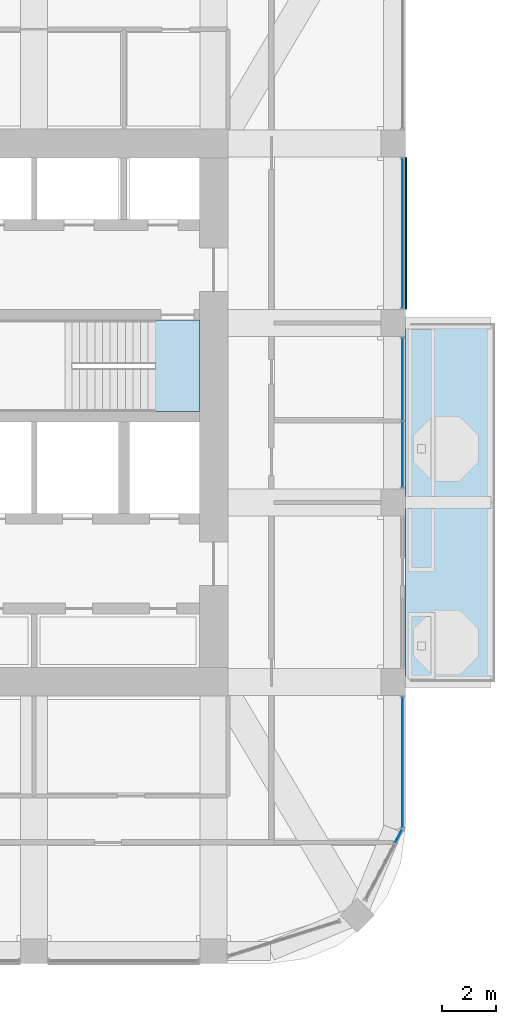
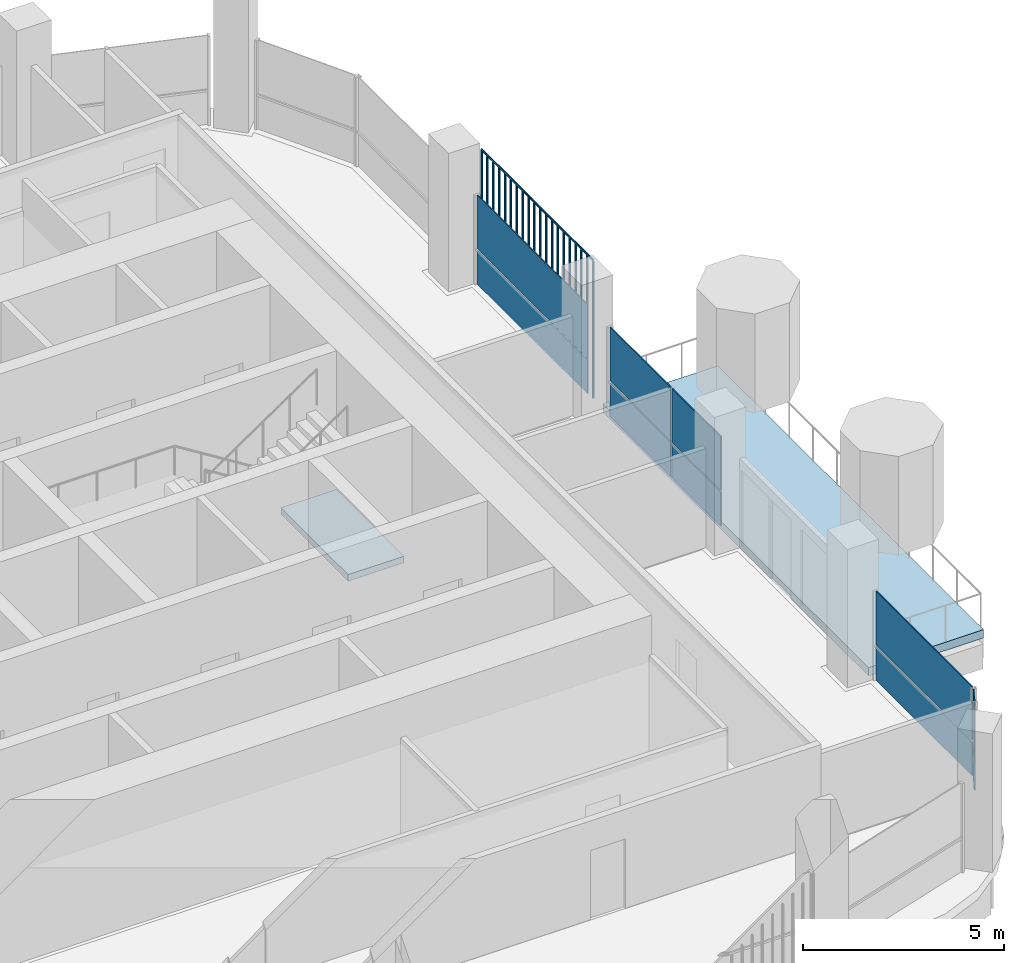
# One storey, part 10 of 19: 11 plates, 2 slabs, 5 elements without a shape of their own.
"""IFC4 building model written with IfcOpenShell, lengths in metres."""

from ifc_helpers import new_model, si_unit, direction, frame, origin, origin_2d, place, context, subcontext, project, spatial, polyline, rectangle, outline, extrude, material, layer, layer_set, type_object, element, aggregate, save


model = new_model("IFC4")

# Units and contexts
model_context = context("Model", 3, precision=1e-05, world=origin(), true_north=direction((0.0, 1.0)))
body_context = subcontext(model_context, "Body", "Model", "MODEL_VIEW")
ifc_project = project(units=[si_unit("LENGTHUNIT", "METRE"), si_unit("AREAUNIT", "SQUARE_METRE"), si_unit("VOLUMEUNIT", "CUBIC_METRE"), si_unit("PLANEANGLEUNIT", "RADIAN"), si_unit("MASSUNIT", "GRAM", prefix="KILO")], contexts=[model_context])

# Site, building, storey
site_placement = place(None, origin())
site = spatial("IfcSite", under=ifc_project, at=site_placement, CompositionType="ELEMENT")
building_placement = place(site_placement, origin())
building = spatial("IfcBuilding", under=site, at=building_placement, Name="Cobogo Forest Laboratory Tower", CompositionType="ELEMENT")
storey_placement = place(building_placement, frame((0.0, 0.0, 262.800048828125)))
storey = spatial("IfcBuildingStorey", under=building, at=storey_placement, Name="L60", CompositionType="ELEMENT", Elevation=262.800048828125)

# Slab
ifc_material_1 = material(Name="Concrete HA-40 (C40/50)", Category="concrete")
ifc_layer_1 = layer(ifc_material_1, 0.25)
ifc_layer_set_1 = layer_set([ifc_layer_1], Name="Balcony slab 250")
slab_type_1 = type_object("IfcSlabType", Name="Balcony slab 250", PredefinedType="FLOOR", material=ifc_layer_set_1)
slab_1_placement = place(storey_placement, frame((0.0, 0.0, -0.25)))
element("IfcSlab", 1, at=slab_1_placement, inside=storey, type_object=slab_type_1, Name="Balcony BAL-E1 L60", PredefinedType="FLOOR", context=body_context, shape_type="SweptSolid", body=[
    extrude(outline(polyline([(46.64990234375, 13.199951171875), (49.949951171875, 13.199951171875), (49.949951171875, 26.39990234375), (46.64990234375, 26.39990234375), (46.64990234375, 13.199951171875)])), origin(), (0.0, 0.0, 1.0), 0.25),
])

# Curtain wall, plates
ifc_material_2 = material(Name="Aluminium curtain wall", Category="aluminium")
curtain_wall_type = type_object("IfcCurtainWallType", Name="CW-2 unitised curtain wall, solar control glazing, laboratory floors zones C and D", PredefinedType="USERDEFINED", material=ifc_material_2)
curtain_wall_1_placement = place(storey_placement, origin())
curtain_wall_1 = element("IfcCurtainWall", 2, at=curtain_wall_1_placement, inside=storey, type_object=curtain_wall_type, Name="Curtain wall 06 L60", ObjectType="UNITISED CURTAIN WALL", PredefinedType="USERDEFINED")
ifc_material_3 = material(Name="Solar control insulated glass", Category="glass")
ifc_layer_2 = layer(ifc_material_3, 0.031982421875)
ifc_layer_set_2 = layer_set([ifc_layer_2], Name="GP-2 solar control glass unit 32")
plate_type_1 = type_object("IfcPlateType", Name="GP-2 solar control glass unit 32", PredefinedType="CURTAIN_PANEL", material=ifc_layer_set_2)
plate_1_placement = place(storey_placement, frame((46.40234375, 7.51806640625, 0.0), z_axis=(0.0, 0.0, 1.0), x_axis=(0.464283778337, 0.885686498245, 0.0)))
plate_1 = element("IfcPlate", 3, at=plate_1_placement, type_object=plate_type_1, Name="CW-2 panel 2.1", PredefinedType="CURTAIN_PANEL", context=body_context, shape_type="SweptSolid", body=[
    extrude(rectangle(XDim=0.516357421875, YDim=0.031982421875, at=origin_2d()), origin(), (0.0, 0.0, 1.0), 1.02001953125),
])
plate_2_placement = place(storey_placement, frame((46.40234375, 7.51806640625, 1.079833984375), z_axis=(0.0, 0.0, 1.0), x_axis=(0.464283778337, 0.885686498245, 0.0)))
plate_2 = element("IfcPlate", 4, at=plate_2_placement, type_object=plate_type_1, Name="CW-2 panel 2.2", PredefinedType="CURTAIN_PANEL", context=body_context, shape_type="SweptSolid", body=[
    extrude(rectangle(XDim=0.516357421875, YDim=0.031982421875, at=origin_2d()), origin(), (0.0, 0.0, 1.0), 1.6201171875),
])
aggregate(curtain_wall_1, [plate_1, plate_2])

curtain_wall_2_placement = place(storey_placement, origin())
curtain_wall_2 = element("IfcCurtainWall", 5, at=curtain_wall_2_placement, inside=storey, type_object=curtain_wall_type, Name="Curtain wall 07 L60", ObjectType="UNITISED CURTAIN WALL", PredefinedType="USERDEFINED")
plate_3_placement = place(storey_placement, frame((46.550048828125, 10.25, 0.0), z_axis=(0.0, 0.0, 1.0), x_axis=(0.0, 1.0, 0.0)))
plate_3 = element("IfcPlate", 6, at=plate_3_placement, type_object=plate_type_1, Name="CW-2 panel 1.1", PredefinedType="CURTAIN_PANEL", context=body_context, shape_type="SweptSolid", body=[
    extrude(rectangle(XDim=4.780029296875, YDim=0.031982421875, at=origin_2d()), origin(), (0.0, 0.0, 1.0), 1.02001953125),
])
plate_4_placement = place(storey_placement, frame((46.550048828125, 10.25, 1.079833984375), z_axis=(0.0, 0.0, 1.0), x_axis=(0.0, 1.0, 0.0)))
plate_4 = element("IfcPlate", 7, at=plate_4_placement, type_object=plate_type_1, Name="CW-2 panel 1.2", PredefinedType="CURTAIN_PANEL", context=body_context, shape_type="SweptSolid", body=[
    extrude(rectangle(XDim=4.780029296875, YDim=0.031982421875, at=origin_2d()), origin(), (0.0, 0.0, 1.0), 1.6201171875),
])
aggregate(curtain_wall_2, [plate_3, plate_4])

curtain_wall_3_placement = place(storey_placement, origin())
curtain_wall_3 = element("IfcCurtainWall", 8, at=curtain_wall_3_placement, inside=storey, type_object=curtain_wall_type, Name="Curtain wall 09 L60", ObjectType="UNITISED CURTAIN WALL", PredefinedType="USERDEFINED")
plate_5_placement = place(storey_placement, frame((46.550048828125, 21.56494140625, 0.0), z_axis=(0.0, 0.0, 1.0), x_axis=(0.0, 1.0, 0.0)))
plate_5 = element("IfcPlate", 9, at=plate_5_placement, type_object=plate_type_1, Name="CW-2 panel 1.1", PredefinedType="CURTAIN_PANEL", context=body_context, shape_type="SweptSolid", body=[
    extrude(rectangle(XDim=2.409912109375, YDim=0.031982421875, at=origin_2d()), origin(), (0.0, 0.0, 1.0), 1.02001953125),
])
plate_6_placement = place(storey_placement, frame((46.550048828125, 21.56494140625, 1.079833984375), z_axis=(0.0, 0.0, 1.0), x_axis=(0.0, 1.0, 0.0)))
plate_6 = element("IfcPlate", 10, at=plate_6_placement, type_object=plate_type_1, Name="CW-2 panel 1.2", PredefinedType="CURTAIN_PANEL", context=body_context, shape_type="SweptSolid", body=[
    extrude(rectangle(XDim=2.409912109375, YDim=0.031982421875, at=origin_2d()), origin(), (0.0, 0.0, 1.0), 1.6201171875),
])
plate_7_placement = place(storey_placement, frame((46.550048828125, 24.3349609375, 0.0), z_axis=(0.0, 0.0, 1.0), x_axis=(0.0, 1.0, 0.0)))
plate_7 = element("IfcPlate", 11, at=plate_7_placement, type_object=plate_type_1, Name="CW-2 panel 2.1", PredefinedType="CURTAIN_PANEL", context=body_context, shape_type="SweptSolid", body=[
    extrude(rectangle(XDim=3.010009765625, YDim=0.031982421875, at=origin_2d()), origin(), (0.0, 0.0, 1.0), 1.02001953125),
])
plate_8_placement = place(storey_placement, frame((46.550048828125, 24.3349609375, 1.079833984375), z_axis=(0.0, 0.0, 1.0), x_axis=(0.0, 1.0, 0.0)))
plate_8 = element("IfcPlate", 12, at=plate_8_placement, type_object=plate_type_1, Name="CW-2 panel 2.2", PredefinedType="CURTAIN_PANEL", context=body_context, shape_type="SweptSolid", body=[
    extrude(rectangle(XDim=3.010009765625, YDim=0.031982421875, at=origin_2d()), origin(), (0.0, 0.0, 1.0), 1.6201171875),
])
aggregate(curtain_wall_3, [plate_5, plate_6, plate_7, plate_8])

curtain_wall_4_placement = place(storey_placement, origin())
curtain_wall_4 = element("IfcCurtainWall", 13, at=curtain_wall_4_placement, inside=storey, type_object=curtain_wall_type, Name="Curtain wall 10 L60", ObjectType="UNITISED CURTAIN WALL", PredefinedType="USERDEFINED")
plate_9_placement = place(storey_placement, frame((46.550048828125, 29.699951171875, 0.0), z_axis=(0.0, 0.0, 1.0), x_axis=(0.0, 1.0, 0.0)))
plate_9 = element("IfcPlate", 14, at=plate_9_placement, type_object=plate_type_1, Name="CW-2 panel 1.1", PredefinedType="CURTAIN_PANEL", context=body_context, shape_type="SweptSolid", body=[
    extrude(rectangle(XDim=5.47998046875, YDim=0.031982421875, at=origin_2d()), origin(), (0.0, 0.0, 1.0), 1.02001953125),
])
plate_10_placement = place(storey_placement, frame((46.550048828125, 29.699951171875, 1.079833984375), z_axis=(0.0, 0.0, 1.0), x_axis=(0.0, 1.0, 0.0)))
plate_10 = element("IfcPlate", 15, at=plate_10_placement, type_object=plate_type_1, Name="CW-2 panel 1.2", PredefinedType="CURTAIN_PANEL", context=body_context, shape_type="SweptSolid", body=[
    extrude(rectangle(XDim=5.47998046875, YDim=0.031982421875, at=origin_2d()), origin(), (0.0, 0.0, 1.0), 1.6201171875),
])
aggregate(curtain_wall_4, [plate_9, plate_10])

# Stair, slab
ifc_material_4 = material(Name="Precast concrete HA-40 (C40/50)", Category="concrete")
stair_type = type_object("IfcStairType", Name="ST24 exit stair 24 risers", PredefinedType="HALF_TURN_STAIR", material=ifc_material_4)
stair_placement = place(storey_placement, origin())
stair = element("IfcStair", 16, at=stair_placement, inside=storey, type_object=stair_type, Name="Stair 2 L60 to L61", PredefinedType="HALF_TURN_STAIR")
ifc_layer_3 = layer(ifc_material_1, 0.199951171875)
ifc_layer_set_3 = layer_set([ifc_layer_3], Name="SL stair landing 200")
slab_type_2 = type_object("IfcSlabType", Name="SL stair landing 200", PredefinedType="LANDING", material=ifc_layer_set_3)
slab_2_placement = place(storey_placement, frame((0.0, 0.0, -0.199951171875)))
slab_2 = element("IfcSlab", 17, at=slab_2_placement, type_object=slab_type_2, Name="ST2 landing 1", PredefinedType="LANDING", context=body_context, shape_type="SweptSolid", body=[
    extrude(outline(polyline([(37.472900390625, 23.14990234375), (39.074951171875, 23.14990234375), (39.074951171875, 26.5), (37.472900390625, 26.5), (37.472900390625, 23.14990234375)])), origin(), (0.0, 0.0, 1.0), 0.199951171875),
])
aggregate(stair, [slab_2])

# Plate
ifc_material_5 = material(Name="Terracotta", Category="masonry")
plate_type_2 = type_object("IfcPlateType", Name="TB1 terracotta baguette screen", PredefinedType="USERDEFINED", material=ifc_material_5)
plate_11_placement = place(storey_placement, frame((46.677978515625, 26.93115234375, -0.150146484375)))
element("IfcPlate", 18, at=plate_11_placement, inside=storey, type_object=plate_type_2, Name="Baguette screen E3 L60", ObjectType="BAGUETTE SCREEN", PredefinedType="USERDEFINED", context=body_context, shape_type="SweptSolid", body=[
    extrude(outline(polyline([(0.02880859375, 0.011962890625), (0.011962890625, 0.02880859375), (-0.011962890625, 0.02880859375), (-0.02880859375, 0.011962890625), (-0.02880859375, -0.011962890625), (-0.011962890625, -0.02880859375), (0.011962890625, -0.02880859375), (0.02880859375, -0.011962890625), (0.02880859375, 0.011962890625)])), frame((0.0, 0.0, 4.168701171875), z_axis=(0.0, 1.0, 0.0), x_axis=(-1.0, 0.0, 0.0)), (0.0, 0.0, 1.0), 5.53759765625),
    extrude(outline(polyline([(0.02880859375, 0.011962890625), (0.011962890625, 0.02880859375), (-0.011962890625, 0.02880859375), (-0.02880859375, 0.011962890625), (-0.02880859375, -0.011962890625), (-0.011962890625, -0.02880859375), (0.011962890625, -0.02880859375), (0.02880859375, -0.011962890625), (0.02880859375, 0.011962890625)])), origin(), (0.0, 0.0, 1.0), 4.137451171875),
    extrude(outline(polyline([(0.02880859375, 0.011962890625), (0.011962890625, 0.02880859375), (-0.011962890625, 0.02880859375), (-0.02880859375, 0.011962890625), (-0.02880859375, -0.011962890625), (-0.011962890625, -0.02880859375), (0.011962890625, -0.02880859375), (0.02880859375, -0.011962890625), (0.02880859375, 0.011962890625)])), frame((0.0, 0.29150390625, 0.0)), (0.0, 0.0, 1.0), 4.137451171875),
    extrude(outline(polyline([(0.02880859375, 0.011962890625), (0.011962890625, 0.02880859375), (-0.011962890625, 0.02880859375), (-0.02880859375, 0.011962890625), (-0.02880859375, -0.011962890625), (-0.011962890625, -0.02880859375), (0.011962890625, -0.02880859375), (0.02880859375, -0.011962890625), (0.02880859375, 0.011962890625)])), frame((0.0, 0.5830078125, 0.0)), (0.0, 0.0, 1.0), 4.137451171875),
    extrude(outline(polyline([(0.02880859375, 0.011962890625), (0.011962890625, 0.02880859375), (-0.011962890625, 0.02880859375), (-0.02880859375, 0.011962890625), (-0.02880859375, -0.011962890625), (-0.011962890625, -0.02880859375), (0.011962890625, -0.02880859375), (0.02880859375, -0.011962890625), (0.02880859375, 0.011962890625)])), frame((0.0, 0.874267578125, 0.0)), (0.0, 0.0, 1.0), 4.137451171875),
    extrude(outline(polyline([(0.02880859375, 0.011962890625), (0.011962890625, 0.02880859375), (-0.011962890625, 0.02880859375), (-0.02880859375, 0.011962890625), (-0.02880859375, -0.011962890625), (-0.011962890625, -0.02880859375), (0.011962890625, -0.02880859375), (0.02880859375, -0.011962890625), (0.02880859375, 0.011962890625)])), frame((0.0, 1.165771484375, 0.0)), (0.0, 0.0, 1.0), 4.137451171875),
    extrude(outline(polyline([(0.02880859375, 0.011962890625), (0.011962890625, 0.02880859375), (-0.011962890625, 0.02880859375), (-0.02880859375, 0.011962890625), (-0.02880859375, -0.011962890625), (-0.011962890625, -0.02880859375), (0.011962890625, -0.02880859375), (0.02880859375, -0.011962890625), (0.02880859375, 0.011962890625)])), frame((0.0, 1.457275390625, 0.0)), (0.0, 0.0, 1.0), 4.137451171875),
    extrude(outline(polyline([(0.02880859375, 0.011962890625), (0.011962890625, 0.02880859375), (-0.011962890625, 0.02880859375), (-0.02880859375, 0.011962890625), (-0.02880859375, -0.011962890625), (-0.011962890625, -0.02880859375), (0.011962890625, -0.02880859375), (0.02880859375, -0.011962890625), (0.02880859375, 0.011962890625)])), frame((0.0, 1.748779296875, 0.0)), (0.0, 0.0, 1.0), 4.137451171875),
    extrude(outline(polyline([(0.02880859375, 0.011962890625), (0.011962890625, 0.02880859375), (-0.011962890625, 0.02880859375), (-0.02880859375, 0.011962890625), (-0.02880859375, -0.011962890625), (-0.011962890625, -0.02880859375), (0.011962890625, -0.02880859375), (0.02880859375, -0.011962890625), (0.02880859375, 0.011962890625)])), frame((0.0, 2.040283203125, 0.0)), (0.0, 0.0, 1.0), 4.137451171875),
    extrude(outline(polyline([(0.02880859375, 0.011962890625), (0.011962890625, 0.02880859375), (-0.011962890625, 0.02880859375), (-0.02880859375, 0.011962890625), (-0.02880859375, -0.011962890625), (-0.011962890625, -0.02880859375), (0.011962890625, -0.02880859375), (0.02880859375, -0.011962890625), (0.02880859375, 0.011962890625)])), frame((0.0, 2.33154296875, 0.0)), (0.0, 0.0, 1.0), 4.137451171875),
    extrude(outline(polyline([(0.02880859375, 0.011962890625), (0.011962890625, 0.02880859375), (-0.011962890625, 0.02880859375), (-0.02880859375, 0.011962890625), (-0.02880859375, -0.011962890625), (-0.011962890625, -0.02880859375), (0.011962890625, -0.02880859375), (0.02880859375, -0.011962890625), (0.02880859375, 0.011962890625)])), frame((0.0, 2.623046875, 0.0)), (0.0, 0.0, 1.0), 4.137451171875),
    extrude(outline(polyline([(0.02880859375, 0.011962890625), (0.011962890625, 0.02880859375), (-0.011962890625, 0.02880859375), (-0.02880859375, 0.011962890625), (-0.02880859375, -0.011962890625), (-0.011962890625, -0.02880859375), (0.011962890625, -0.02880859375), (0.02880859375, -0.011962890625), (0.02880859375, 0.011962890625)])), frame((0.0, 2.91455078125, 0.0)), (0.0, 0.0, 1.0), 4.137451171875),
    extrude(outline(polyline([(0.02880859375, 0.011962890625), (0.011962890625, 0.02880859375), (-0.011962890625, 0.02880859375), (-0.02880859375, 0.011962890625), (-0.02880859375, -0.011962890625), (-0.011962890625, -0.02880859375), (0.011962890625, -0.02880859375), (0.02880859375, -0.011962890625), (0.02880859375, 0.011962890625)])), frame((0.0, 3.2060546875, 0.0)), (0.0, 0.0, 1.0), 4.137451171875),
    extrude(outline(polyline([(0.02880859375, 0.011962890625), (0.011962890625, 0.02880859375), (-0.011962890625, 0.02880859375), (-0.02880859375, 0.011962890625), (-0.02880859375, -0.011962890625), (-0.011962890625, -0.02880859375), (0.011962890625, -0.02880859375), (0.02880859375, -0.011962890625), (0.02880859375, 0.011962890625)])), frame((0.0, 3.497314453125, 0.0)), (0.0, 0.0, 1.0), 4.137451171875),
    extrude(outline(polyline([(0.02880859375, 0.011962890625), (0.011962890625, 0.02880859375), (-0.011962890625, 0.02880859375), (-0.02880859375, 0.011962890625), (-0.02880859375, -0.011962890625), (-0.011962890625, -0.02880859375), (0.011962890625, -0.02880859375), (0.02880859375, -0.011962890625), (0.02880859375, 0.011962890625)])), frame((0.0, 3.788818359375, 0.0)), (0.0, 0.0, 1.0), 4.137451171875),
    extrude(outline(polyline([(0.02880859375, 0.011962890625), (0.011962890625, 0.02880859375), (-0.011962890625, 0.02880859375), (-0.02880859375, 0.011962890625), (-0.02880859375, -0.011962890625), (-0.011962890625, -0.02880859375), (0.011962890625, -0.02880859375), (0.02880859375, -0.011962890625), (0.02880859375, 0.011962890625)])), frame((0.0, 4.080322265625, 0.0)), (0.0, 0.0, 1.0), 4.137451171875),
    extrude(outline(polyline([(0.02880859375, 0.011962890625), (0.011962890625, 0.02880859375), (-0.011962890625, 0.02880859375), (-0.02880859375, 0.011962890625), (-0.02880859375, -0.011962890625), (-0.011962890625, -0.02880859375), (0.011962890625, -0.02880859375), (0.02880859375, -0.011962890625), (0.02880859375, 0.011962890625)])), frame((0.0, 4.371826171875, 0.0)), (0.0, 0.0, 1.0), 4.137451171875),
    extrude(outline(polyline([(0.02880859375, 0.011962890625), (0.011962890625, 0.02880859375), (-0.011962890625, 0.02880859375), (-0.02880859375, 0.011962890625), (-0.02880859375, -0.011962890625), (-0.011962890625, -0.02880859375), (0.011962890625, -0.02880859375), (0.02880859375, -0.011962890625), (0.02880859375, 0.011962890625)])), frame((0.0, 4.663330078125, 0.0)), (0.0, 0.0, 1.0), 4.137451171875),
    extrude(outline(polyline([(0.02880859375, 0.011962890625), (0.011962890625, 0.02880859375), (-0.011962890625, 0.02880859375), (-0.02880859375, 0.011962890625), (-0.02880859375, -0.011962890625), (-0.011962890625, -0.02880859375), (0.011962890625, -0.02880859375), (0.02880859375, -0.011962890625), (0.02880859375, 0.011962890625)])), frame((0.0, 4.95458984375, 0.0)), (0.0, 0.0, 1.0), 4.137451171875),
    extrude(outline(polyline([(0.02880859375, 0.011962890625), (0.011962890625, 0.02880859375), (-0.011962890625, 0.02880859375), (-0.02880859375, 0.011962890625), (-0.02880859375, -0.011962890625), (-0.011962890625, -0.02880859375), (0.011962890625, -0.02880859375), (0.02880859375, -0.011962890625), (0.02880859375, 0.011962890625)])), frame((0.0, 5.24609375, 0.0)), (0.0, 0.0, 1.0), 4.137451171875),
    extrude(outline(polyline([(0.02880859375, 0.011962890625), (0.011962890625, 0.02880859375), (-0.011962890625, 0.02880859375), (-0.02880859375, 0.011962890625), (-0.02880859375, -0.011962890625), (-0.011962890625, -0.02880859375), (0.011962890625, -0.02880859375), (0.02880859375, -0.011962890625), (0.02880859375, 0.011962890625)])), frame((0.0, 5.53759765625, 0.0)), (0.0, 0.0, 1.0), 4.137451171875),
])

save(model, "model.ifc")
